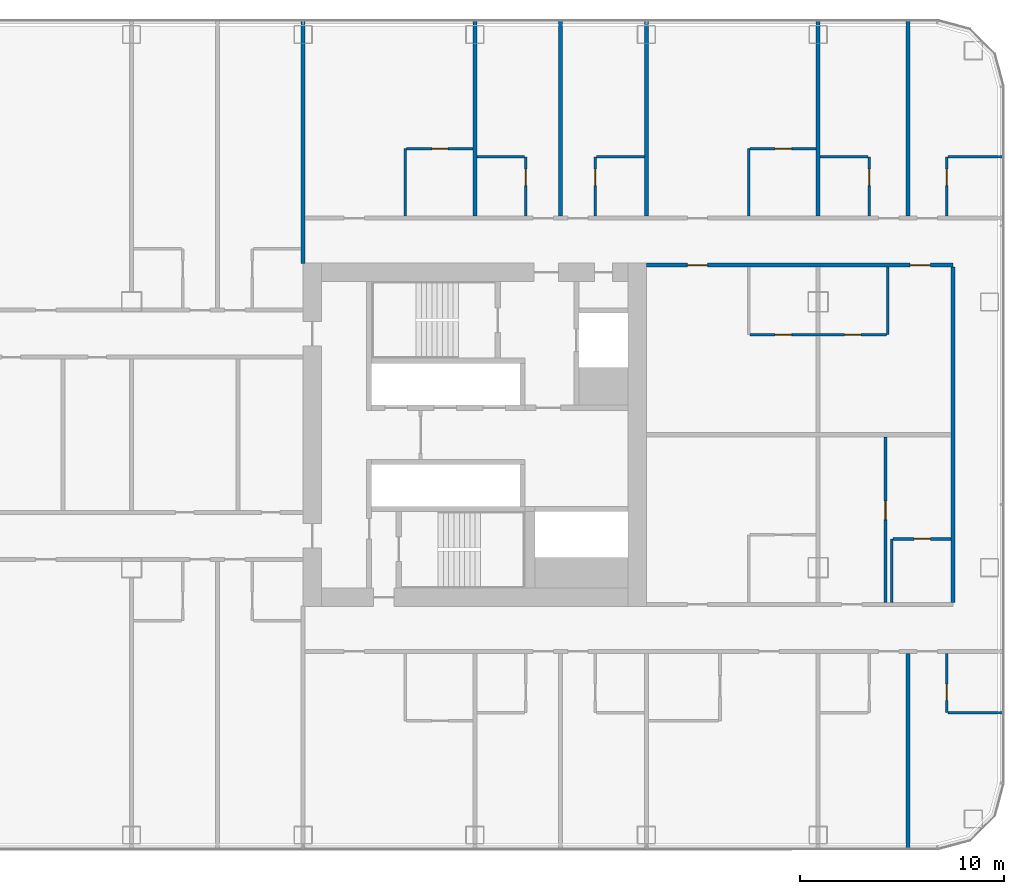
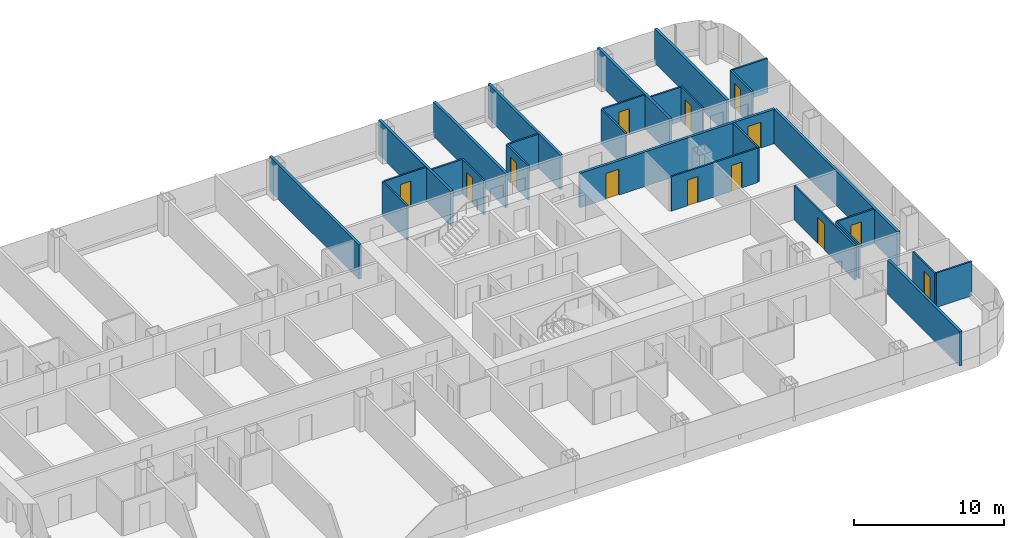
# One storey, part 19 of 28: 28 walls, 13 doors, 13 openings.
"""IFC4 building model written with IfcOpenShell, lengths in metres."""

from ifc_helpers import new_model, si_unit, direction, frame, frame_2d, origin, place, context, subcontext, project, spatial, rectangle, extrude, material, layer, layer_set, type_object, element, fill, save


model = new_model("IFC4")

# Units and contexts
model_context = context("Model", 3, precision=1e-05, world=origin(), true_north=direction((0.0, 1.0)))
body_context = subcontext(model_context, "Body", "Model", "MODEL_VIEW")
ifc_project = project(units=[si_unit("LENGTHUNIT", "METRE"), si_unit("AREAUNIT", "SQUARE_METRE"), si_unit("VOLUMEUNIT", "CUBIC_METRE"), si_unit("PLANEANGLEUNIT", "RADIAN"), si_unit("MASSUNIT", "GRAM", prefix="KILO")], contexts=[model_context])

# Site, building, storey
site_placement = place(None, origin())
site = spatial("IfcSite", under=ifc_project, at=site_placement, CompositionType="ELEMENT")
building_placement = place(site_placement, origin())
building = spatial("IfcBuilding", under=site, at=building_placement, Name="Hakoniwa Tower and Hamabe Station Hall", CompositionType="ELEMENT")
storey_placement = place(building_placement, frame((0.0, 0.0, 58.199951171875)))
storey = spatial("IfcBuildingStorey", under=building, at=storey_placement, Name="L16", CompositionType="ELEMENT", Elevation=58.199951171875)

# Wall
ifc_material_1 = material(Name="Gypsum board partition", Category="gypsum")
ifc_layer_1 = layer(ifc_material_1, 0.125)
ifc_layer_set_1 = layer_set([ifc_layer_1], Name="Bathroom Partition 125")
wall_type_1 = type_object("IfcWallType", Name="Bathroom Partition 125", PredefinedType="PARTITIONING", material=ifc_layer_set_1)
wall_1_placement = place(storey_placement, frame((48.362548828125, -13.60009765625, 0.0), z_axis=(0.0, 0.0, 1.0), x_axis=(1.0, 0.0, 0.0)))
element("IfcWall", 1, at=wall_1_placement, inside=storey, type_object=wall_type_1, Name="GW-L16-006", PredefinedType="PARTITIONING", context=body_context, shape_type="SweptSolid", body=[
    extrude(rectangle(XDim=2.737548828125, YDim=0.125, at=frame_2d((1.36865234375, 0.0))), origin(), (0.0, 0.0, 1.0), 2.800048828125),
])

# Wall, opening, door
wall_2_placement = place(storey_placement, frame((45.66259765625, -5.10009765625, 0.0), z_axis=(0.0, 0.0, 1.0), x_axis=(1.0, 0.0, 0.0)))
wall_2 = element("IfcWall", 2, at=wall_2_placement, inside=storey, type_object=wall_type_1, Name="GW-L16-017", PredefinedType="PARTITIONING", context=body_context, shape_type="SweptSolid", body=[
    extrude(rectangle(XDim=2.83740234375, YDim=0.125, at=frame_2d((1.418701171875, 0.0))), origin(), (0.0, 0.0, 1.0), 2.800048828125),
])
opening_1_placement = place(wall_2_placement, frame((1.03759765625, 0.0, 0.0)))
opening_1 = element("IfcOpeningElement", 3, at=opening_1_placement, cuts=wall_2, Name="Opening GD-G1C2-25", PredefinedType="OPENING", context=body_context, shape_type="SweptSolid", body=[
    extrude(rectangle(XDim=0.800048828125, YDim=2.10009765625, at=frame_2d((0.39990234375, 1.050048828125))), frame((0.0, 0.072509765625, 0.0), z_axis=(0.0, -1.0, 0.0), x_axis=(1.0, 0.0, 0.0)), (0.0, 0.0, 1.0), 0.14501953125),
])
ifc_material_2 = material(Name="Timber door leaf", Category="wood")
door_type_1 = type_object("IfcDoorType", Name="Bathroom Door 800", OperationType="SINGLE_SWING_LEFT", PredefinedType="DOOR", material=ifc_material_2)
door_1_placement = place(opening_1_placement, origin())
door_1 = element("IfcDoor", 4, at=door_1_placement, inside=storey, type_object=door_type_1, Name="Door GD-G1C2-25", OperationType="SINGLE_SWING_LEFT", OverallHeight=2.10009765625, OverallWidth=0.800048828125, PredefinedType="DOOR", context=body_context, shape_type="SweptSolid", body=[
    extrude(rectangle(XDim=0.800048828125, YDim=2.10009765625, at=frame_2d((0.39990234375, 1.050048828125))), frame((0.0, 0.02490234375, 0.0), z_axis=(0.0, -1.0, 0.0), x_axis=(1.0, 0.0, 0.0)), (0.0, 0.0, 1.0), 0.050048828125),
])
fill(opening_1, door_1)

# Wall, openings, doors
wall_3_placement = place(storey_placement, frame((38.66259765625, 4.89990234375, 0.0), z_axis=(0.0, 0.0, 1.0), x_axis=(1.0, 0.0, 0.0)))
wall_3 = element("IfcWall", 5, at=wall_3_placement, inside=storey, type_object=wall_type_1, Name="GW-L16-026", PredefinedType="PARTITIONING", context=body_context, shape_type="SweptSolid", body=[
    extrude(rectangle(XDim=6.6748046875, YDim=0.125, at=frame_2d((3.33740234375, 0.0))), origin(), (0.0, 0.0, 1.0), 2.800048828125),
])
opening_2_placement = place(wall_3_placement, frame((1.237548828125, 0.0, 0.0)))
opening_2 = element("IfcOpeningElement", 6, at=opening_2_placement, cuts=wall_3, Name="Opening GD-G1C2-38", PredefinedType="OPENING", context=body_context, shape_type="SweptSolid", body=[
    extrude(rectangle(XDim=0.800048828125, YDim=2.10009765625, at=frame_2d((0.39990234375, 1.050048828125))), frame((0.0, 0.072509765625, 0.0), z_axis=(0.0, -1.0, 0.0), x_axis=(1.0, 0.0, 0.0)), (0.0, 0.0, 1.0), 0.14501953125),
])
opening_3_placement = place(wall_3_placement, frame((4.637451171875, 0.0, 0.0)))
opening_3 = element("IfcOpeningElement", 7, at=opening_3_placement, cuts=wall_3, Name="Opening GD-G1C2-39", PredefinedType="OPENING", context=body_context, shape_type="SweptSolid", body=[
    extrude(rectangle(XDim=0.800048828125, YDim=2.10009765625, at=frame_2d((0.39990234375, 1.050048828125))), frame((0.0, 0.072509765625, 0.0), z_axis=(0.0, -1.0, 0.0), x_axis=(1.0, 0.0, 0.0)), (0.0, 0.0, 1.0), 0.14501953125),
])
door_2_placement = place(opening_2_placement, origin())
door_2 = element("IfcDoor", 8, at=door_2_placement, inside=storey, type_object=door_type_1, Name="Door GD-G1C2-38", OperationType="SINGLE_SWING_RIGHT", OverallHeight=2.10009765625, OverallWidth=0.800048828125, PredefinedType="DOOR", context=body_context, shape_type="SweptSolid", body=[
    extrude(rectangle(XDim=0.800048828125, YDim=2.10009765625, at=frame_2d((0.39990234375, 1.050048828125))), frame((0.0, 0.02490234375, 0.0), z_axis=(0.0, -1.0, 0.0), x_axis=(1.0, 0.0, 0.0)), (0.0, 0.0, 1.0), 0.050048828125),
])
fill(opening_2, door_2)
door_3_placement = place(opening_3_placement, origin())
door_3 = element("IfcDoor", 9, at=door_3_placement, inside=storey, type_object=door_type_1, Name="Door GD-G1C2-39", OperationType="SINGLE_SWING_LEFT", OverallHeight=2.10009765625, OverallWidth=0.800048828125, PredefinedType="DOOR", context=body_context, shape_type="SweptSolid", body=[
    extrude(rectangle(XDim=0.800048828125, YDim=2.10009765625, at=frame_2d((0.39990234375, 1.050048828125))), frame((0.0, 0.02490234375, 0.0), z_axis=(0.0, -1.0, 0.0), x_axis=(1.0, 0.0, 0.0)), (0.0, 0.0, 1.0), 0.050048828125),
])
fill(opening_3, door_3)

# Walls
for number, where, z_axis, x_axis, name in (
    (10, (25.300048828125, 13.60009765625, 0.0), (0.0, 0.0, 1.0), (1.0, 0.0, 0.0), "GW-L16-040"),
    (11, (31.16259765625, 13.60009765625, 0.0), (0.0, 0.0, 1.0), (1.0, 0.0, 0.0), "GW-L16-041"),
    (12, (42.10009765625, 13.60009765625, 0.0), (0.0, 0.0, 1.0), (1.0, 0.0, 0.0), "GW-L16-042"),
):
    element("IfcWall", number, at=place(storey_placement, frame(where, z_axis=z_axis, x_axis=x_axis)), inside=storey, type_object=wall_type_1, Name=name, PredefinedType="PARTITIONING", context=body_context, shape_type="SweptSolid", body=[
        extrude(rectangle(XDim=2.33740234375, YDim=0.125, at=frame_2d((1.168701171875, 0.0))), origin(), (0.0, 0.0, 1.0), 2.800048828125),
    ])
wall_4_placement = place(storey_placement, frame((48.362548828125, 13.60009765625, 0.0), z_axis=(0.0, 0.0, 1.0), x_axis=(1.0, 0.0, 0.0)))
element("IfcWall", 13, at=wall_4_placement, inside=storey, type_object=wall_type_1, Name="GW-L16-043", PredefinedType="PARTITIONING", context=body_context, shape_type="SweptSolid", body=[
    extrude(rectangle(XDim=2.737548828125, YDim=0.125, at=frame_2d((1.36865234375, 0.0))), origin(), (0.0, 0.0, 1.0), 2.800048828125),
])

# Wall, opening, door
wall_5_placement = place(storey_placement, frame((21.862548828125, 14.0, 0.0), z_axis=(0.0, 0.0, 1.0), x_axis=(1.0, 0.0, 0.0)))
wall_5 = element("IfcWall", 14, at=wall_5_placement, inside=storey, type_object=wall_type_1, Name="GW-L16-046", PredefinedType="PARTITIONING", context=body_context, shape_type="SweptSolid", body=[
    extrude(rectangle(XDim=3.237548828125, YDim=0.125, at=frame_2d((1.61865234375, 0.0))), origin(), (0.0, 0.0, 1.0), 2.800048828125),
])
opening_4_placement = place(wall_5_placement, frame((1.237548828125, 0.0, 0.0)))
opening_4 = element("IfcOpeningElement", 15, at=opening_4_placement, cuts=wall_5, Name="Opening GD-G1C2-64", PredefinedType="OPENING", context=body_context, shape_type="SweptSolid", body=[
    extrude(rectangle(XDim=0.800048828125, YDim=2.10009765625, at=frame_2d((0.39990234375, 1.050048828125))), frame((0.0, 0.072509765625, 0.0), z_axis=(0.0, -1.0, 0.0), x_axis=(1.0, 0.0, 0.0)), (0.0, 0.0, 1.0), 0.14501953125),
])
door_4_placement = place(opening_4_placement, origin())
door_4 = element("IfcDoor", 16, at=door_4_placement, inside=storey, type_object=door_type_1, Name="Door GD-G1C2-64", OperationType="SINGLE_SWING_RIGHT", OverallHeight=2.10009765625, OverallWidth=0.800048828125, PredefinedType="DOOR", context=body_context, shape_type="SweptSolid", body=[
    extrude(rectangle(XDim=0.800048828125, YDim=2.10009765625, at=frame_2d((0.39990234375, 1.050048828125))), frame((0.0, 0.02490234375, 0.0), z_axis=(0.0, -1.0, 0.0), x_axis=(1.0, 0.0, 0.0)), (0.0, 0.0, 1.0), 0.050048828125),
])
fill(opening_4, door_4)

wall_6_placement = place(storey_placement, frame((38.66259765625, 14.0, 0.0), z_axis=(0.0, 0.0, 1.0), x_axis=(1.0, 0.0, 0.0)))
wall_6 = element("IfcWall", 17, at=wall_6_placement, inside=storey, type_object=wall_type_1, Name="GW-L16-047", PredefinedType="PARTITIONING", context=body_context, shape_type="SweptSolid", body=[
    extrude(rectangle(XDim=3.2373046875, YDim=0.125, at=frame_2d((1.61865234375, 0.0))), origin(), (0.0, 0.0, 1.0), 2.800048828125),
])
opening_5_placement = place(wall_6_placement, frame((1.237548828125, 0.0, 0.0)))
opening_5 = element("IfcOpeningElement", 18, at=opening_5_placement, cuts=wall_6, Name="Opening GD-G1C2-65", PredefinedType="OPENING", context=body_context, shape_type="SweptSolid", body=[
    extrude(rectangle(XDim=0.800048828125, YDim=2.10009765625, at=frame_2d((0.39990234375, 1.050048828125))), frame((0.0, 0.072509765625, 0.0), z_axis=(0.0, -1.0, 0.0), x_axis=(1.0, 0.0, 0.0)), (0.0, 0.0, 1.0), 0.14501953125),
])
door_5_placement = place(opening_5_placement, origin())
door_5 = element("IfcDoor", 19, at=door_5_placement, inside=storey, type_object=door_type_1, Name="Door GD-G1C2-65", OperationType="SINGLE_SWING_LEFT", OverallHeight=2.10009765625, OverallWidth=0.800048828125, PredefinedType="DOOR", context=body_context, shape_type="SweptSolid", body=[
    extrude(rectangle(XDim=0.800048828125, YDim=2.10009765625, at=frame_2d((0.39990234375, 1.050048828125))), frame((0.0, 0.02490234375, 0.0), z_axis=(0.0, -1.0, 0.0), x_axis=(1.0, 0.0, 0.0)), (0.0, 0.0, 1.0), 0.050048828125),
])
fill(opening_5, door_5)

# Wall
wall_7_placement = place(storey_placement, frame((21.800048828125, 10.699951171875, 0.0), z_axis=(0.0, 0.0, 1.0), x_axis=(0.0, 1.0, 0.0)))
element("IfcWall", 20, at=wall_7_placement, inside=storey, type_object=wall_type_1, Name="GW-L16-100", PredefinedType="PARTITIONING", context=body_context, shape_type="SweptSolid", body=[
    extrude(rectangle(XDim=3.300048828125, YDim=0.125, at=frame_2d((1.64990234375, 0.0))), origin(), (0.0, 0.0, 1.0), 2.800048828125),
])

# Wall, opening, door
wall_8_placement = place(storey_placement, frame((27.699951171875, 10.699951171875, 0.0), z_axis=(0.0, 0.0, 1.0), x_axis=(0.0, 1.0, 0.0)))
wall_8 = element("IfcWall", 21, at=wall_8_placement, inside=storey, type_object=wall_type_1, Name="GW-L16-104", PredefinedType="PARTITIONING", context=body_context, shape_type="SweptSolid", body=[
    extrude(rectangle(XDim=2.900146484375, YDim=0.125, at=frame_2d((1.4501953125, 0.0))), origin(), (0.0, 0.0, 1.0), 2.800048828125),
])
opening_6_placement = place(wall_8_placement, frame((1.5, 0.0, 0.0)))
opening_6 = element("IfcOpeningElement", 22, at=opening_6_placement, cuts=wall_8, Name="Opening GD-G1C2-78", PredefinedType="OPENING", context=body_context, shape_type="SweptSolid", body=[
    extrude(rectangle(XDim=0.800048828125, YDim=2.10009765625, at=frame_2d((0.39990234375, 1.050048828125))), frame((0.0, 0.072509765625, 0.0), z_axis=(0.0, -1.0, 0.0), x_axis=(1.0, 0.0, 0.0)), (0.0, 0.0, 1.0), 0.14501953125),
])
door_6_placement = place(opening_6_placement, origin())
door_6 = element("IfcDoor", 23, at=door_6_placement, inside=storey, type_object=door_type_1, Name="Door GD-G1C2-78", OperationType="SINGLE_SWING_LEFT", OverallHeight=2.10009765625, OverallWidth=0.800048828125, PredefinedType="DOOR", context=body_context, shape_type="SweptSolid", body=[
    extrude(rectangle(XDim=0.800048828125, YDim=2.10009765625, at=frame_2d((0.39990234375, 1.050048828125))), frame((0.0, 0.02490234375, 0.0), z_axis=(0.0, -1.0, 0.0), x_axis=(1.0, 0.0, 0.0)), (0.0, 0.0, 1.0), 0.050048828125),
])
fill(opening_6, door_6)

wall_9_placement = place(storey_placement, frame((31.10009765625, 10.699951171875, 0.0), z_axis=(0.0, 0.0, 1.0), x_axis=(0.0, 1.0, 0.0)))
wall_9 = element("IfcWall", 24, at=wall_9_placement, inside=storey, type_object=wall_type_1, Name="GW-L16-108", PredefinedType="PARTITIONING", context=body_context, shape_type="SweptSolid", body=[
    extrude(rectangle(XDim=2.900146484375, YDim=0.125, at=frame_2d((1.4501953125, 0.0))), origin(), (0.0, 0.0, 1.0), 2.800048828125),
])
opening_7_placement = place(wall_9_placement, frame((1.5, 0.0, 0.0)))
opening_7 = element("IfcOpeningElement", 25, at=opening_7_placement, cuts=wall_9, Name="Opening GD-G1C2-80", PredefinedType="OPENING", context=body_context, shape_type="SweptSolid", body=[
    extrude(rectangle(XDim=0.800048828125, YDim=2.10009765625, at=frame_2d((0.39990234375, 1.050048828125))), frame((0.0, 0.072509765625, 0.0), z_axis=(0.0, -1.0, 0.0), x_axis=(1.0, 0.0, 0.0)), (0.0, 0.0, 1.0), 0.14501953125),
])
door_7_placement = place(opening_7_placement, origin())
door_7 = element("IfcDoor", 26, at=door_7_placement, inside=storey, type_object=door_type_1, Name="Door GD-G1C2-80", OperationType="SINGLE_SWING_RIGHT", OverallHeight=2.10009765625, OverallWidth=0.800048828125, PredefinedType="DOOR", context=body_context, shape_type="SweptSolid", body=[
    extrude(rectangle(XDim=0.800048828125, YDim=2.10009765625, at=frame_2d((0.39990234375, 1.050048828125))), frame((0.0, 0.02490234375, 0.0), z_axis=(0.0, -1.0, 0.0), x_axis=(1.0, 0.0, 0.0)), (0.0, 0.0, 1.0), 0.050048828125),
])
fill(opening_7, door_7)

# Wall
wall_10_placement = place(storey_placement, frame((38.60009765625, 10.699951171875, 0.0), z_axis=(0.0, 0.0, 1.0), x_axis=(0.0, 1.0, 0.0)))
element("IfcWall", 27, at=wall_10_placement, inside=storey, type_object=wall_type_1, Name="GW-L16-114", PredefinedType="PARTITIONING", context=body_context, shape_type="SweptSolid", body=[
    extrude(rectangle(XDim=3.300048828125, YDim=0.125, at=frame_2d((1.64990234375, 0.0))), origin(), (0.0, 0.0, 1.0), 2.800048828125),
])

# Wall, opening, door
wall_11_placement = place(storey_placement, frame((44.5, 10.699951171875, 0.0), z_axis=(0.0, 0.0, 1.0), x_axis=(0.0, 1.0, 0.0)))
wall_11 = element("IfcWall", 28, at=wall_11_placement, inside=storey, type_object=wall_type_1, Name="GW-L16-119", PredefinedType="PARTITIONING", context=body_context, shape_type="SweptSolid", body=[
    extrude(rectangle(XDim=2.900146484375, YDim=0.125, at=frame_2d((1.4501953125, 0.0))), origin(), (0.0, 0.0, 1.0), 2.800048828125),
])
opening_8_placement = place(wall_11_placement, frame((1.5, 0.0, 0.0)))
opening_8 = element("IfcOpeningElement", 29, at=opening_8_placement, cuts=wall_11, Name="Opening GD-G1C2-83", PredefinedType="OPENING", context=body_context, shape_type="SweptSolid", body=[
    extrude(rectangle(XDim=0.800048828125, YDim=2.10009765625, at=frame_2d((0.39990234375, 1.050048828125))), frame((0.0, 0.072509765625, 0.0), z_axis=(0.0, -1.0, 0.0), x_axis=(1.0, 0.0, 0.0)), (0.0, 0.0, 1.0), 0.14501953125),
])
door_8_placement = place(opening_8_placement, origin())
door_8 = element("IfcDoor", 30, at=door_8_placement, inside=storey, type_object=door_type_1, Name="Door GD-G1C2-83", OperationType="SINGLE_SWING_LEFT", OverallHeight=2.10009765625, OverallWidth=0.800048828125, PredefinedType="DOOR", context=body_context, shape_type="SweptSolid", body=[
    extrude(rectangle(XDim=0.800048828125, YDim=2.10009765625, at=frame_2d((0.39990234375, 1.050048828125))), frame((0.0, 0.02490234375, 0.0), z_axis=(0.0, -1.0, 0.0), x_axis=(1.0, 0.0, 0.0)), (0.0, 0.0, 1.0), 0.050048828125),
])
fill(opening_8, door_8)

# Walls
wall_12_placement = place(storey_placement, frame((45.39990234375, 4.89990234375, 0.0), z_axis=(0.0, 0.0, 1.0), x_axis=(0.0, 1.0, 0.0)))
element("IfcWall", 31, at=wall_12_placement, inside=storey, type_object=wall_type_1, Name="GW-L16-121", PredefinedType="PARTITIONING", context=body_context, shape_type="SweptSolid", body=[
    extrude(rectangle(XDim=3.300048828125, YDim=0.125, at=frame_2d((1.64990234375, 0.0))), origin(), (0.0, 0.0, 1.0), 2.800048828125),
])
wall_13_placement = place(storey_placement, frame((45.60009765625, -8.199951171875, 0.0), z_axis=(0.0, 0.0, 1.0), x_axis=(0.0, 1.0, 0.0)))
element("IfcWall", 32, at=wall_13_placement, inside=storey, type_object=wall_type_1, Name="GW-L16-122", PredefinedType="PARTITIONING", context=body_context, shape_type="SweptSolid", body=[
    extrude(rectangle(XDim=3.099853515625, YDim=0.125, at=frame_2d((1.5498046875, 0.0))), origin(), (0.0, 0.0, 1.0), 2.800048828125),
])

# Wall, opening, door
wall_14_placement = place(storey_placement, frame((48.300048828125, -13.60009765625, 0.0), z_axis=(0.0, 0.0, 1.0), x_axis=(0.0, 1.0, 0.0)))
wall_14 = element("IfcWall", 33, at=wall_14_placement, inside=storey, type_object=wall_type_1, Name="GW-L16-125", PredefinedType="PARTITIONING", context=body_context, shape_type="SweptSolid", body=[
    extrude(rectangle(XDim=2.900146484375, YDim=0.125, at=frame_2d((1.4501953125, 0.0))), origin(), (0.0, 0.0, 1.0), 2.800048828125),
])
opening_9_placement = place(wall_14_placement, frame((0.60009765625, 0.0, 0.0)))
opening_9 = element("IfcOpeningElement", 34, at=opening_9_placement, cuts=wall_14, Name="Opening GD-G1C2-85", PredefinedType="OPENING", context=body_context, shape_type="SweptSolid", body=[
    extrude(rectangle(XDim=0.800048828125, YDim=2.10009765625, at=frame_2d((0.39990234375, 1.050048828125))), frame((0.0, 0.072509765625, 0.0), z_axis=(0.0, -1.0, 0.0), x_axis=(1.0, 0.0, 0.0)), (0.0, 0.0, 1.0), 0.14501953125),
])
door_9_placement = place(opening_9_placement, origin())
door_9 = element("IfcDoor", 35, at=door_9_placement, inside=storey, type_object=door_type_1, Name="Door GD-G1C2-85", OperationType="SINGLE_SWING_LEFT", OverallHeight=2.10009765625, OverallWidth=0.800048828125, PredefinedType="DOOR", context=body_context, shape_type="SweptSolid", body=[
    extrude(rectangle(XDim=0.800048828125, YDim=2.10009765625, at=frame_2d((0.39990234375, 1.050048828125))), frame((0.0, 0.02490234375, 0.0), z_axis=(0.0, -1.0, 0.0), x_axis=(1.0, 0.0, 0.0)), (0.0, 0.0, 1.0), 0.050048828125),
])
fill(opening_9, door_9)

wall_15_placement = place(storey_placement, frame((48.300048828125, 10.699951171875, 0.0), z_axis=(0.0, 0.0, 1.0), x_axis=(0.0, 1.0, 0.0)))
wall_15 = element("IfcWall", 36, at=wall_15_placement, inside=storey, type_object=wall_type_1, Name="GW-L16-126", PredefinedType="PARTITIONING", context=body_context, shape_type="SweptSolid", body=[
    extrude(rectangle(XDim=2.900146484375, YDim=0.125, at=frame_2d((1.4501953125, 0.0))), origin(), (0.0, 0.0, 1.0), 2.800048828125),
])
opening_10_placement = place(wall_15_placement, frame((1.5, 0.0, 0.0)))
opening_10 = element("IfcOpeningElement", 37, at=opening_10_placement, cuts=wall_15, Name="Opening GD-G1C2-86", PredefinedType="OPENING", context=body_context, shape_type="SweptSolid", body=[
    extrude(rectangle(XDim=0.800048828125, YDim=2.10009765625, at=frame_2d((0.39990234375, 1.050048828125))), frame((0.0, 0.072509765625, 0.0), z_axis=(0.0, -1.0, 0.0), x_axis=(1.0, 0.0, 0.0)), (0.0, 0.0, 1.0), 0.14501953125),
])
door_10_placement = place(opening_10_placement, origin())
door_10 = element("IfcDoor", 38, at=door_10_placement, inside=storey, type_object=door_type_1, Name="Door GD-G1C2-86", OperationType="SINGLE_SWING_RIGHT", OverallHeight=2.10009765625, OverallWidth=0.800048828125, PredefinedType="DOOR", context=body_context, shape_type="SweptSolid", body=[
    extrude(rectangle(XDim=0.800048828125, YDim=2.10009765625, at=frame_2d((0.39990234375, 1.050048828125))), frame((0.0, 0.02490234375, 0.0), z_axis=(0.0, -1.0, 0.0), x_axis=(1.0, 0.0, 0.0)), (0.0, 0.0, 1.0), 0.050048828125),
])
fill(opening_10, door_10)

# Wall, openings, doors
ifc_material_3 = material(Name="Fire-rated gypsum board partition", Category="gypsum")
ifc_layer_2 = layer(ifc_material_3, 0.199951171875)
ifc_layer_set_2 = layer_set([ifc_layer_2], Name="Corridor Wall 200")
wall_type_2 = type_object("IfcWallType", Name="Corridor Wall 200", PredefinedType="PARTITIONING", material=ifc_layer_set_2)
wall_16_placement = place(storey_placement, frame((33.60009765625, 8.300048828125, 0.0), z_axis=(0.0, 0.0, 1.0), x_axis=(1.0, 0.0, 0.0)))
wall_16 = element("IfcWall", 39, at=wall_16_placement, inside=storey, type_object=wall_type_2, Name="GW-L16-030", PredefinedType="PARTITIONING", context=body_context, shape_type="SweptSolid", body=[
    extrude(rectangle(XDim=15.0, YDim=0.199951171875, at=frame_2d((7.5, 0.0))), origin(), (0.0, 0.0, 1.0), 2.800048828125),
])
opening_11_placement = place(wall_16_placement, frame((2.0, 0.0, 0.0)))
opening_11 = element("IfcOpeningElement", 40, at=opening_11_placement, cuts=wall_16, Name="Opening GD-G1C2-48", PredefinedType="OPENING", context=body_context, shape_type="SweptSolid", body=[
    extrude(rectangle(XDim=1.0, YDim=2.10009765625, at=frame_2d((0.5, 1.050048828125))), frame((0.0, 0.10986328125, 0.0), z_axis=(0.0, -1.0, 0.0), x_axis=(1.0, 0.0, 0.0)), (0.0, 0.0, 1.0), 0.219970703125),
])
opening_12_placement = place(wall_16_placement, frame((12.89990234375, 0.0, 0.0)))
opening_12 = element("IfcOpeningElement", 41, at=opening_12_placement, cuts=wall_16, Name="Opening GD-G1C2-49", PredefinedType="OPENING", context=body_context, shape_type="SweptSolid", body=[
    extrude(rectangle(XDim=1.0, YDim=2.10009765625, at=frame_2d((0.5, 1.050048828125))), frame((0.0, 0.10986328125, 0.0), z_axis=(0.0, -1.0, 0.0), x_axis=(1.0, 0.0, 0.0)), (0.0, 0.0, 1.0), 0.219970703125),
])
ifc_material_4 = material(Name="Timber door leaf", Category="wood")
door_type_2 = type_object("IfcDoorType", Name="Guest Entrance Door 1000", OperationType="SINGLE_SWING_LEFT", PredefinedType="DOOR", material=ifc_material_4)
door_11_placement = place(opening_11_placement, origin())
door_11 = element("IfcDoor", 42, at=door_11_placement, inside=storey, type_object=door_type_2, Name="Door GD-G1C2-48", OperationType="SINGLE_SWING_RIGHT", OverallHeight=2.10009765625, OverallWidth=1.0, PredefinedType="DOOR", context=body_context, shape_type="SweptSolid", body=[
    extrude(rectangle(XDim=1.0, YDim=2.10009765625, at=frame_2d((0.5, 1.050048828125))), frame((0.0, 0.02490234375, 0.0), z_axis=(0.0, -1.0, 0.0), x_axis=(1.0, 0.0, 0.0)), (0.0, 0.0, 1.0), 0.050048828125),
])
fill(opening_11, door_11)
door_12_placement = place(opening_12_placement, origin())
door_12 = element("IfcDoor", 43, at=door_12_placement, inside=storey, type_object=door_type_2, Name="Door GD-G1C2-49", OperationType="SINGLE_SWING_LEFT", OverallHeight=2.10009765625, OverallWidth=1.0, PredefinedType="DOOR", context=body_context, shape_type="SweptSolid", body=[
    extrude(rectangle(XDim=1.0, YDim=2.10009765625, at=frame_2d((0.5, 1.050048828125))), frame((0.0, 0.02490234375, 0.0), z_axis=(0.0, -1.0, 0.0), x_axis=(1.0, 0.0, 0.0)), (0.0, 0.0, 1.0), 0.050048828125),
])
fill(opening_12, door_12)

# Walls
ifc_material_5 = material(Name="Fire-rated gypsum board partition", Category="gypsum")
ifc_layer_3 = layer(ifc_material_5, 0.199951171875)
ifc_layer_set_3 = layer_set([ifc_layer_3], Name="Party Wall 200")
wall_type_3 = type_object("IfcWallType", Name="Party Wall 200", PredefinedType="PARTITIONING", material=ifc_layer_set_3)
wall_17_placement = place(storey_placement, frame((16.800048828125, 8.389892578125, 0.0), z_axis=(0.0, 0.0, 1.0), x_axis=(0.0, 1.0, 0.0)))
element("IfcWall", 44, at=wall_17_placement, inside=storey, type_object=wall_type_3, Name="GW-L16-098", PredefinedType="PARTITIONING", context=body_context, shape_type="SweptSolid", body=[
    extrude(rectangle(XDim=11.91015625, YDim=0.199951171875, at=frame_2d((5.955078125, 0.0))), origin(), (0.0, 0.0, 1.0), 2.800048828125),
])
for number, where, z_axis, x_axis, name in (
    (45, (25.199951171875, 10.699951171875, 0.0), (0.0, 0.0, 1.0), (0.0, 1.0, 0.0), "GW-L16-102"),
    (46, (29.39990234375, 10.699951171875, 0.0), (0.0, 0.0, 1.0), (0.0, 1.0, 0.0), "GW-L16-106"),
    (47, (33.60009765625, 10.699951171875, 0.0), (0.0, 0.0, 1.0), (0.0, 1.0, 0.0), "GW-L16-110"),
    (48, (42.0, 10.699951171875, 0.0), (0.0, 0.0, 1.0), (0.0, 1.0, 0.0), "GW-L16-117"),
    (49, (46.39990234375, -20.300048828125, 0.0), (0.0, 0.0, 1.0), (0.0, 1.0, 0.0), "GW-L16-123"),
    (50, (46.39990234375, 10.699951171875, 0.0), (0.0, 0.0, 1.0), (0.0, 1.0, 0.0), "GW-L16-124"),
):
    element("IfcWall", number, at=place(storey_placement, frame(where, z_axis=z_axis, x_axis=x_axis)), inside=storey, type_object=wall_type_3, Name=name, PredefinedType="PARTITIONING", context=body_context, shape_type="SweptSolid", body=[
        extrude(rectangle(XDim=9.60009765625, YDim=0.199951171875, at=frame_2d((4.800048828125, 0.0))), origin(), (0.0, 0.0, 1.0), 2.800048828125),
    ])
wall_18_placement = place(storey_placement, frame((48.60009765625, -8.199951171875, 0.0), z_axis=(0.0, 0.0, 1.0), x_axis=(0.0, 1.0, 0.0)))
element("IfcWall", 51, at=wall_18_placement, inside=storey, type_object=wall_type_3, Name="GW-L16-127", PredefinedType="PARTITIONING", context=body_context, shape_type="SweptSolid", body=[
    extrude(rectangle(XDim=16.39990234375, YDim=0.199951171875, at=frame_2d((8.199951171875, 0.0))), origin(), (0.0, 0.0, 1.0), 2.800048828125),
])

# Wall, opening, door
ifc_material_6 = material(Name="Gypsum board partition", Category="gypsum")
ifc_layer_4 = layer(ifc_material_6, 0.125)
ifc_layer_set_4 = layer_set([ifc_layer_4], Name="Room Partition 125")
wall_type_4 = type_object("IfcWallType", Name="Room Partition 125", PredefinedType="PARTITIONING", material=ifc_layer_set_4)
wall_19_placement = place(storey_placement, frame((45.300048828125, -8.199951171875, 0.0), z_axis=(0.0, 0.0, 1.0), x_axis=(0.0, 1.0, 0.0)))
wall_19 = element("IfcWall", 52, at=wall_19_placement, inside=storey, type_object=wall_type_4, Name="GW-L16-120", PredefinedType="PARTITIONING", context=body_context, shape_type="SweptSolid", body=[
    extrude(rectangle(XDim=8.099853515625, YDim=0.125, at=frame_2d((4.0498046875, 0.0))), origin(), (0.0, 0.0, 1.0), 2.800048828125),
])
opening_13_placement = place(wall_19_placement, frame((4.050048828125, 0.0, 0.0)))
opening_13 = element("IfcOpeningElement", 53, at=opening_13_placement, cuts=wall_19, Name="Opening GD-G1C2-84", PredefinedType="OPENING", context=body_context, shape_type="SweptSolid", body=[
    extrude(rectangle(XDim=0.89990234375, YDim=2.10009765625, at=frame_2d((0.449951171875, 1.050048828125))), frame((0.0, 0.072509765625, 0.0), z_axis=(0.0, -1.0, 0.0), x_axis=(1.0, 0.0, 0.0)), (0.0, 0.0, 1.0), 0.14501953125),
])
ifc_material_7 = material(Name="Timber door leaf", Category="wood")
door_type_3 = type_object("IfcDoorType", Name="Suite Interior Door 900", OperationType="SINGLE_SWING_LEFT", PredefinedType="DOOR", material=ifc_material_7)
door_13_placement = place(opening_13_placement, origin())
door_13 = element("IfcDoor", 54, at=door_13_placement, inside=storey, type_object=door_type_3, Name="Door GD-G1C2-84", OperationType="SINGLE_SWING_LEFT", OverallHeight=2.10009765625, OverallWidth=0.89990234375, PredefinedType="DOOR", context=body_context, shape_type="SweptSolid", body=[
    extrude(rectangle(XDim=0.89990234375, YDim=2.10009765625, at=frame_2d((0.449951171875, 1.050048828125))), frame((0.0, 0.02490234375, 0.0), z_axis=(0.0, -1.0, 0.0), x_axis=(1.0, 0.0, 0.0)), (0.0, 0.0, 1.0), 0.050048828125),
])
fill(opening_13, door_13)

save(model, "model.ifc")
